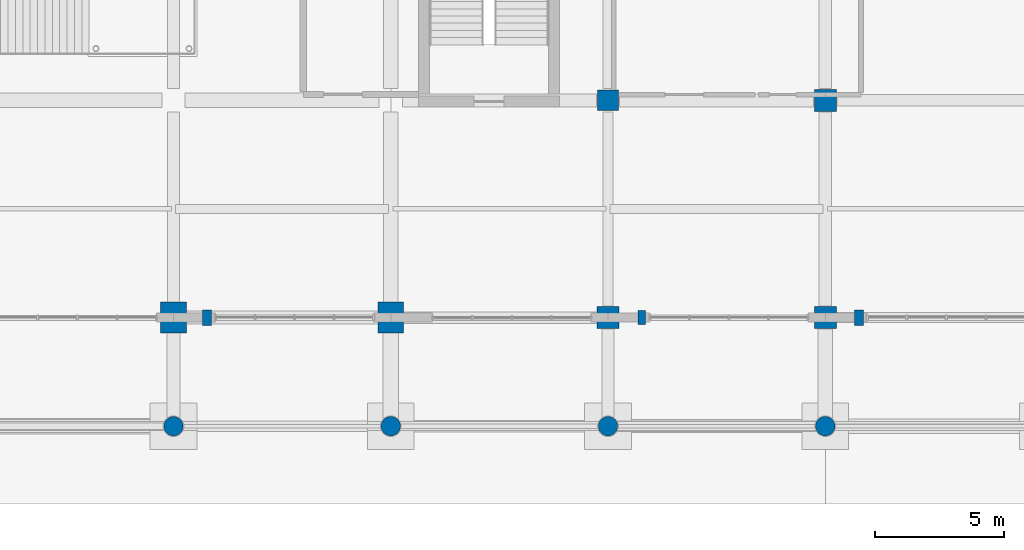
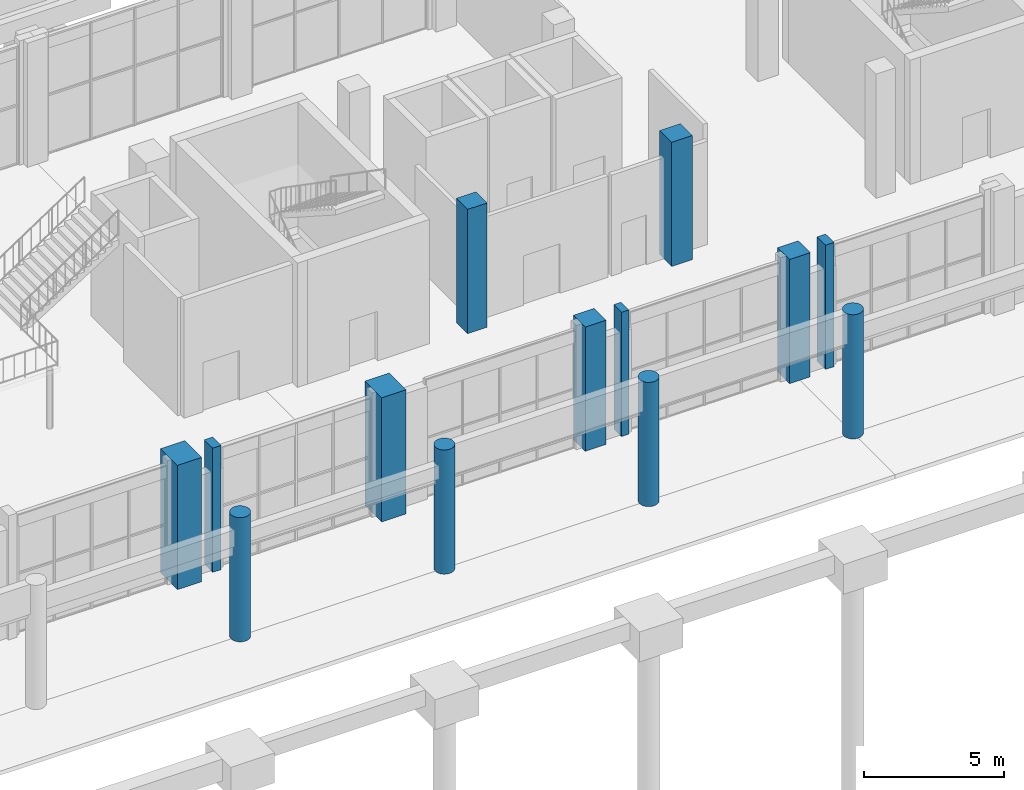
# One storey, part 9 of 82: 13 columns.
"""IFC4 building model written with IfcOpenShell, lengths in metres."""

from ifc_helpers import new_model, si_unit, derived_unit, direction, frame, origin, origin_2d, place, context, subcontext, project, spatial, rectangle, circle, extrude, material, material_profile, profile_set, type_object, element, save


model = new_model("IFC4")

# Units and contexts
model_context = context("Model", 3, precision=1e-05, world=origin(), true_north=direction((0.0, 1.0)))
body_context = subcontext(model_context, "Body", "Model", "MODEL_VIEW")
ifc_project = project(units=[si_unit("LENGTHUNIT", "METRE"), si_unit("AREAUNIT", "SQUARE_METRE"), si_unit("VOLUMEUNIT", "CUBIC_METRE"), si_unit("PLANEANGLEUNIT", "RADIAN"), si_unit("MASSUNIT", "GRAM", prefix="KILO"), derived_unit("THERMALTRANSMITTANCEUNIT", [(si_unit("POWERUNIT", "WATT"), 1), (si_unit("LENGTHUNIT", "METRE"), -2), (si_unit("THERMODYNAMICTEMPERATUREUNIT", "KELVIN"), -1)])], contexts=[model_context])

# Site, building, storey
site_placement = place(None, origin())
site = spatial("IfcSite", under=ifc_project, at=site_placement, CompositionType="ELEMENT")
building_placement = place(site_placement, origin())
building = spatial("IfcBuilding", under=site, at=building_placement, Name="Barrovel Congress Hotel", CompositionType="ELEMENT")
storey_placement = place(building_placement, origin())
storey = spatial("IfcBuildingStorey", under=building, at=storey_placement, Name="L00", CompositionType="ELEMENT", Elevation=0.0)

# Columns
ifc_material_1 = material(Name="Concrete C40", Category="concrete")
ifc_material_profile_1 = material_profile(ifc_material_1, circle(Radius=0.375, at=origin_2d()), Name="RC-D750")
ifc_profile_set_1 = profile_set([ifc_material_profile_1], Name="Concrete C40")
column_type_1 = type_object("IfcColumnType", Name="COL-RC-D750", PredefinedType="COLUMN", material=ifc_profile_set_1)
for number, where, z_axis, x_axis, name in (
    (1, (67.199951171875, 0.0, 0.0), (0.0, 0.0, 1.0), (1.0, 0.0, 0.0), "COL:L00:67.2:0.0"),
    (2, (75.60009765625, 0.0, 0.0), (0.0, 0.0, 1.0), (1.0, 0.0, 0.0), "COL:L00:75.6:0.0"),
    (3, (84.0, 0.0, 0.0), (0.0, 0.0, 1.0), (1.0, 0.0, 0.0), "COL:L00:84.0:0.0"),
    (4, (92.39990234375, 0.0, 0.0), (0.0, 0.0, 1.0), (1.0, 0.0, 0.0), "COL:L00:92.4:0.0"),
):
    element("IfcColumn", number, at=place(storey_placement, frame(where, z_axis=z_axis, x_axis=x_axis)), inside=storey, type_object=column_type_1, Name=name, PredefinedType="COLUMN", context=body_context, shape_type="SweptSolid", body=[
        extrude(circle(Radius=0.375, at=origin_2d()), origin(), (0.0, 0.0, 1.0), 5.39990234375),
    ])
ifc_material_2 = material(Name="Concrete C50", Category="concrete")
ifc_material_profile_2 = material_profile(ifc_material_2, rectangle(XDim=1.0, YDim=1.199951171875, at=origin_2d()), Name="RC1000x1200")
ifc_profile_set_2 = profile_set([ifc_material_profile_2], Name="Concrete C50")
column_type_2 = type_object("IfcColumnType", Name="COL-RC1000x1200", PredefinedType="COLUMN", material=ifc_profile_set_2)
for number, where, z_axis, x_axis, name in (
    (5, (67.199951171875, 4.199951171875, 0.0), (0.0, 0.0, 1.0), (1.0, 0.0, 0.0), "COL:L00:67.2:4.2"),
    (6, (75.60009765625, 4.199951171875, 0.0), (0.0, 0.0, 1.0), (1.0, 0.0, 0.0), "COL:L00:75.6:4.2"),
):
    element("IfcColumn", number, at=place(storey_placement, frame(where, z_axis=z_axis, x_axis=x_axis)), inside=storey, type_object=column_type_2, Name=name, PredefinedType="COLUMN", context=body_context, shape_type="SweptSolid", body=[
        extrude(rectangle(XDim=1.0, YDim=1.199951171875, at=origin_2d()), origin(), (0.0, 0.0, 1.0), 5.39990234375),
    ])
ifc_material_profile_3 = material_profile(ifc_material_1, rectangle(XDim=0.800048828125, YDim=0.800048828125, at=origin_2d()), Name="RC800x800")
ifc_profile_set_3 = profile_set([ifc_material_profile_3], Name="Concrete C40")
column_type_3 = type_object("IfcColumnType", Name="COL-RC800x800", PredefinedType="COLUMN", material=ifc_profile_set_3)
column_1_placement = place(storey_placement, frame((84.0, 12.60009765625, 0.0), z_axis=(0.0, 0.0, 1.0), x_axis=(1.0, 0.0, 0.0)))
element("IfcColumn", 7, at=column_1_placement, inside=storey, type_object=column_type_3, Name="COL:L00:84.0:12.6", PredefinedType="COLUMN", context=body_context, shape_type="SweptSolid", body=[
    extrude(rectangle(XDim=0.800048828125, YDim=0.800048828125, at=origin_2d()), origin(), (0.0, 0.0, 1.0), 5.39990234375),
])
ifc_material_profile_4 = material_profile(ifc_material_1, rectangle(XDim=0.85009765625, YDim=0.85009765625, at=origin_2d()), Name="RC850x850")
ifc_profile_set_4 = profile_set([ifc_material_profile_4], Name="Concrete C40")
column_type_4 = type_object("IfcColumnType", Name="COL-RC850x850", PredefinedType="COLUMN", material=ifc_profile_set_4)
for number, where, z_axis, x_axis, name in (
    (8, (84.0, 4.199951171875, 0.0), (0.0, 0.0, 1.0), (1.0, 0.0, 0.0), "COL:L00:84.0:4.2"),
    (9, (92.39990234375, 4.199951171875, 0.0), (0.0, 0.0, 1.0), (1.0, 0.0, 0.0), "COL:L00:92.4:4.2"),
    (10, (92.39990234375, 12.60009765625, 0.0), (0.0, 0.0, 1.0), (1.0, 0.0, 0.0), "COL:L00:92.4:12.6"),
):
    element("IfcColumn", number, at=place(storey_placement, frame(where, z_axis=z_axis, x_axis=x_axis)), inside=storey, type_object=column_type_4, Name=name, PredefinedType="COLUMN", context=body_context, shape_type="SweptSolid", body=[
        extrude(rectangle(XDim=0.85009765625, YDim=0.85009765625, at=origin_2d()), origin(), (0.0, 0.0, 1.0), 5.39990234375),
    ])
ifc_material_profile_5 = material_profile(ifc_material_1, rectangle(XDim=0.300048828125, YDim=0.550048828125, at=origin_2d()), Name="RC300x550")
ifc_profile_set_5 = profile_set([ifc_material_profile_5], Name="Concrete C40")
column_type_5 = type_object("IfcColumnType", Name="PIL-RC300x550", PredefinedType="PILASTER", material=ifc_profile_set_5)
column_2_placement = place(storey_placement, frame((85.300048828125, 4.199951171875, 0.0), z_axis=(0.0, 0.0, 1.0), x_axis=(1.0, 0.0, 0.0)))
element("IfcColumn", 11, at=column_2_placement, inside=storey, type_object=column_type_5, Name="PIL:L00:S:85.3", PredefinedType="PILASTER", context=body_context, shape_type="SweptSolid", body=[
    extrude(rectangle(XDim=0.300048828125, YDim=0.550048828125, at=origin_2d()), origin(), (0.0, 0.0, 1.0), 5.39990234375),
])
ifc_material_profile_6 = material_profile(ifc_material_1, rectangle(XDim=0.35009765625, YDim=0.60009765625, at=origin_2d()), Name="RC350x600")
ifc_profile_set_6 = profile_set([ifc_material_profile_6], Name="Concrete C40")
column_type_6 = type_object("IfcColumnType", Name="PIL-RC350x600", PredefinedType="PILASTER", material=ifc_profile_set_6)
for number, where, z_axis, x_axis, name in (
    (12, (68.5, 4.199951171875, 0.0), (0.0, 0.0, 1.0), (1.0, 0.0, 0.0), "PIL:L00:S:68.5"),
    (13, (93.699951171875, 4.199951171875, 0.0), (0.0, 0.0, 1.0), (1.0, 0.0, 0.0), "PIL:L00:S:93.7"),
):
    element("IfcColumn", number, at=place(storey_placement, frame(where, z_axis=z_axis, x_axis=x_axis)), inside=storey, type_object=column_type_6, Name=name, PredefinedType="PILASTER", context=body_context, shape_type="SweptSolid", body=[
        extrude(rectangle(XDim=0.35009765625, YDim=0.60009765625, at=origin_2d()), origin(), (0.0, 0.0, 1.0), 5.39990234375),
    ])

save(model, "model.ifc")
